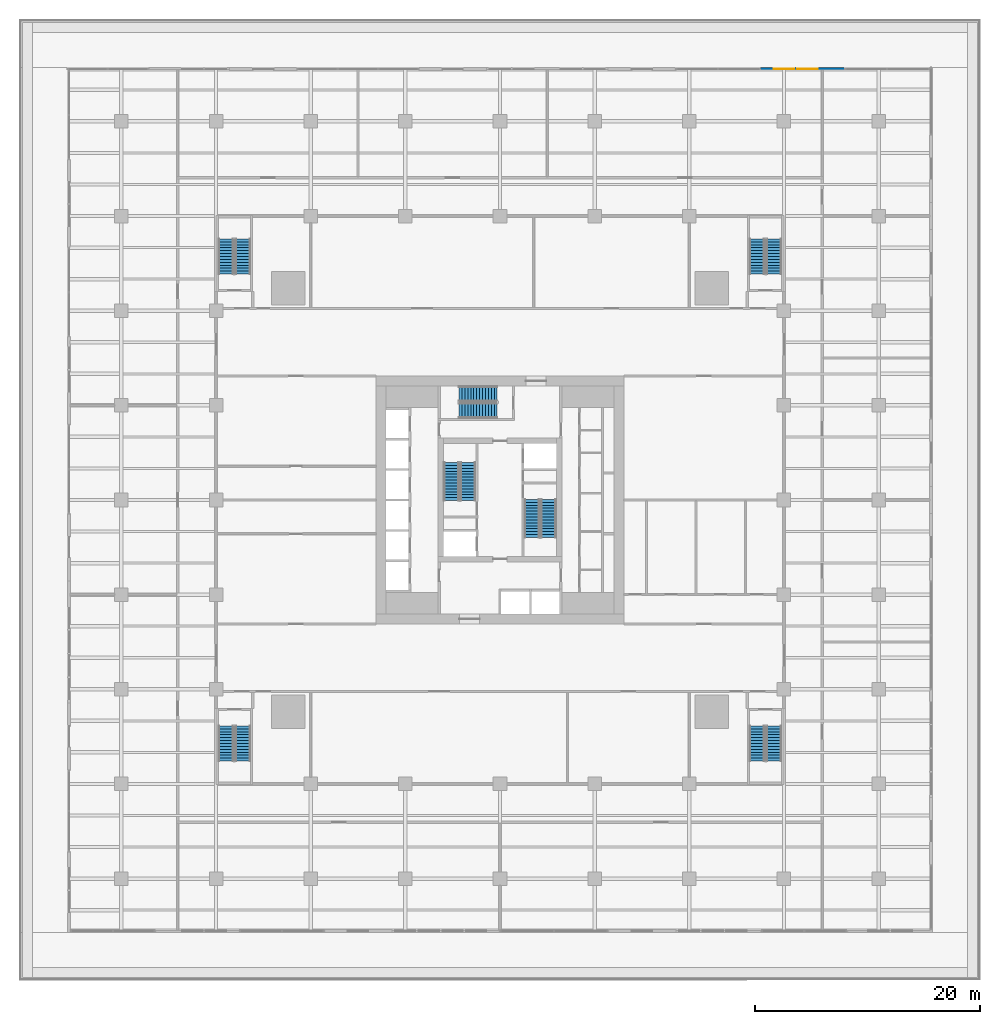
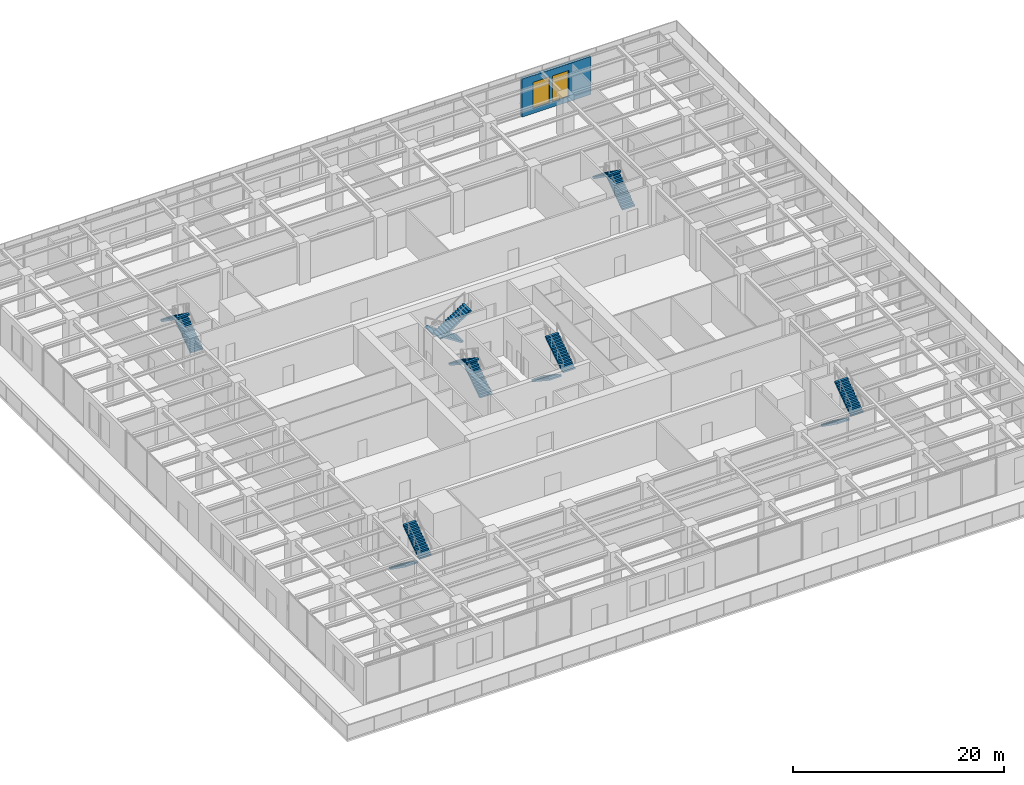
# One storey, part 23 of 32: 14 stair flights, 2 windows, 1 wall, 2 openings, 7 elements without a shape of their own.
"""IFC4 building model written with IfcOpenShell, lengths in metres."""

from ifc_helpers import new_model, si_unit, direction, frame, frame_2d, origin, place, context, subcontext, project, spatial, polyline, rectangle, outline, extrude, material, layer, layer_set, type_object, element, fill, aggregate, save


model = new_model("IFC4")

# Units and contexts
model_context = context("Model", 3, precision=1e-05, world=origin(), true_north=direction((0.0, 1.0)))
body_context = subcontext(model_context, "Body", "Model", "MODEL_VIEW")
ifc_project = project(units=[si_unit("LENGTHUNIT", "METRE"), si_unit("AREAUNIT", "SQUARE_METRE"), si_unit("VOLUMEUNIT", "CUBIC_METRE"), si_unit("PLANEANGLEUNIT", "RADIAN"), si_unit("MASSUNIT", "GRAM", prefix="KILO")], contexts=[model_context])

# Site, building, storey
site_placement = place(None, origin())
site = spatial("IfcSite", under=ifc_project, at=site_placement, CompositionType="ELEMENT")
building_placement = place(site_placement, origin())
building = spatial("IfcBuilding", under=site, at=building_placement, Name="Khepri Terraces", CompositionType="ELEMENT")
storey_placement = place(building_placement, frame((0.0, 0.0, 12.0)))
storey = spatial("IfcBuildingStorey", under=building, at=storey_placement, Name="L02", CompositionType="ELEMENT", Elevation=12.0)

# Wall, openings, windows
ifc_material_1 = material(Name="Precast concrete C50/60 warm stone", Category="masonry")
ifc_layer = layer(ifc_material_1, 0.300048828125, Name="Precast concrete C50/60 warm stone", Category="masonry")
ifc_layer_set = layer_set([ifc_layer], Name="Precast concrete C50/60 warm stone")
wall_type = type_object("IfcWallType", Name="WL-EXT-PRECAST-300", PredefinedType="STANDARD", material=ifc_layer_set)
wall_placement = place(storey_placement, frame((30.60009765625, 38.25, 0.0), z_axis=(0.0, 0.0, 1.0), x_axis=(-1.0, 0.0, 0.0)))
wall = element("IfcWall", 1, at=wall_placement, inside=storey, type_object=wall_type, Name="External wall L02 N", PredefinedType="STANDARD", context=body_context, shape_type="SweptSolid", body=[
    extrude(rectangle(XDim=7.5, YDim=0.300048828125, at=frame_2d((3.75, 0.0))), origin(), (0.0, 0.0, 1.0), 4.3798828125),
])
opening_1_placement = place(wall_placement, frame((2.39990234375, 0.0, 0.60009765625)))
opening_1 = element("IfcOpeningElement", 2, at=opening_1_placement, cuts=wall, Name="Opening WP1", PredefinedType="OPENING", context=body_context, shape_type="SweptSolid", body=[
    extrude(rectangle(XDim=1.800048828125, YDim=3.0, at=frame_2d((0.89990234375, 1.5))), frame((0.0, 0.16015625, 0.0), z_axis=(0.0, -1.0, 0.0), x_axis=(1.0, 0.0, 0.0)), (0.0, 0.0, 1.0), 0.320068359375),
])
opening_2_placement = place(wall_placement, frame((4.5, 0.0, 0.60009765625)))
opening_2 = element("IfcOpeningElement", 3, at=opening_2_placement, cuts=wall, Name="Opening WP1", PredefinedType="OPENING", context=body_context, shape_type="SweptSolid", body=[
    extrude(rectangle(XDim=1.800048828125, YDim=3.0, at=frame_2d((0.89990234375, 1.5))), frame((0.0, 0.16015625, 0.0), z_axis=(0.0, -1.0, 0.0), x_axis=(1.0, 0.0, 0.0)), (0.0, 0.0, 1.0), 0.320068359375),
])
ifc_material_2 = material(Name="Clear glass", Category="glass")
window_type = type_object("IfcWindowType", Name="WIN-POD-1800x3000", PartitioningType="SINGLE_PANEL", PredefinedType="WINDOW", material=ifc_material_2)
window_1_placement = place(opening_1_placement, origin())
window_1 = element("IfcWindow", 4, at=window_1_placement, inside=storey, type_object=window_type, Name="Window L02 N", OverallHeight=3.0, OverallWidth=1.800048828125, PartitioningType="SINGLE_PANEL", PredefinedType="WINDOW", context=body_context, shape_type="SweptSolid", body=[
    extrude(rectangle(XDim=1.800048828125, YDim=3.0, at=frame_2d((0.89990234375, 1.5))), frame((0.0, 0.030029296875, 0.0), z_axis=(0.0, -1.0, 0.0), x_axis=(1.0, 0.0, 0.0)), (0.0, 0.0, 1.0), 0.06005859375),
])
fill(opening_1, window_1)
window_2_placement = place(opening_2_placement, origin())
window_2 = element("IfcWindow", 5, at=window_2_placement, inside=storey, type_object=window_type, Name="Window L02 N", OverallHeight=3.0, OverallWidth=1.800048828125, PartitioningType="SINGLE_PANEL", PredefinedType="WINDOW", context=body_context, shape_type="SweptSolid", body=[
    extrude(rectangle(XDim=1.800048828125, YDim=3.0, at=frame_2d((0.89990234375, 1.5))), frame((0.0, 0.030029296875, 0.0), z_axis=(0.0, -1.0, 0.0), x_axis=(1.0, 0.0, 0.0)), (0.0, 0.0, 1.0), 0.06005859375),
])
fill(opening_2, window_2)

# Stair, stair flights
ifc_material_3 = material(Name="Concrete C40/50", Category="concrete")
stair_type_1 = type_object("IfcStairType", Name="ST-POD", PredefinedType="HALF_TURN_STAIR", material=ifc_material_3)
stair_1_placement = place(storey_placement, origin())
stair_1 = element("IfcStair", 6, at=stair_1_placement, inside=storey, type_object=stair_type_1, Name="L02 Exit Stair PS-1", PredefinedType="HALF_TURN_STAIR")
stair_flight_type_1 = type_object("IfcStairFlightType", Name="SFL-POD", PredefinedType="STRAIGHT", material=ifc_material_3)
stair_flight_1_placement = place(storey_placement, frame((24.324951171875, 20.050048828125, 0.0), z_axis=(0.0, 0.0, 1.0), x_axis=(0.0, 1.0, 0.0)))
stair_flight_1 = element("IfcStairFlight", 7, at=stair_flight_1_placement, type_object=stair_flight_type_1, Name="PS-1 flight 1", NumberOfRisers=13, NumberOfTreads=12, PredefinedType="STRAIGHT", RiserHeight=0.184615385, TreadLength=0.26, context=body_context, shape_type="SweptSolid", body=[
    extrude(outline(polyline([(0.0, 0.0), (0.0, 0.1845703125), (0.260009765625, 0.1845703125), (0.260009765625, 0.369140625), (0.52001953125, 0.369140625), (0.52001953125, 0.553955078125), (0.780029296875, 0.553955078125), (0.780029296875, 0.738525390625), (1.0400390625, 0.738525390625), (1.0400390625, 0.923095703125), (1.300048828125, 0.923095703125), (1.300048828125, 1.107666015625), (1.56005859375, 1.107666015625), (1.56005859375, 1.292236328125), (1.820068359375, 1.292236328125), (1.820068359375, 1.476806640625), (2.080078125, 1.476806640625), (2.080078125, 1.66162109375), (2.340087890625, 1.66162109375), (2.340087890625, 1.84619140625), (2.60009765625, 1.84619140625), (2.60009765625, 2.03076171875), (2.860107421875, 2.03076171875), (2.860107421875, 2.21533203125), (3.1201171875, 2.21533203125), (3.1201171875, 2.39990234375), (3.1201171875, 2.031494140625), (0.259033203125, 0.0), (0.0, 0.0)])), frame((0.0, 0.675048828125, 0.0), z_axis=(0.0, -1.0, 0.0), x_axis=(1.0, 0.0, 0.0)), (0.0, 0.0, 1.0), 1.35009765625),
])
stair_flight_2_placement = place(storey_placement, frame((22.824951171875, 23.169921875, 2.39990234375), z_axis=(0.0, 0.0, 1.0), x_axis=(0.0, -1.0, 0.0)))
stair_flight_2 = element("IfcStairFlight", 8, at=stair_flight_2_placement, type_object=stair_flight_type_1, Name="PS-1 flight 2", NumberOfRisers=13, NumberOfTreads=12, PredefinedType="STRAIGHT", RiserHeight=0.184615385, TreadLength=0.26, context=body_context, shape_type="SweptSolid", body=[
    extrude(outline(polyline([(0.0, 0.0), (0.0, 0.1845703125), (0.260009765625, 0.1845703125), (0.260009765625, 0.369140625), (0.52001953125, 0.369140625), (0.52001953125, 0.553955078125), (0.780029296875, 0.553955078125), (0.780029296875, 0.738525390625), (1.0400390625, 0.738525390625), (1.0400390625, 0.923095703125), (1.300048828125, 0.923095703125), (1.300048828125, 1.107666015625), (1.56005859375, 1.107666015625), (1.56005859375, 1.292236328125), (1.820068359375, 1.292236328125), (1.820068359375, 1.476806640625), (2.080078125, 1.476806640625), (2.080078125, 1.66162109375), (2.340087890625, 1.66162109375), (2.340087890625, 1.84619140625), (2.60009765625, 1.84619140625), (2.60009765625, 2.03076171875), (2.860107421875, 2.03076171875), (2.860107421875, 2.21533203125), (3.1201171875, 2.21533203125), (3.1201171875, 2.39990234375), (3.1201171875, 2.031494140625), (0.259033203125, 0.0), (0.0, 0.0)])), frame((0.0, 0.675048828125, 0.0), z_axis=(0.0, -1.0, 0.0), x_axis=(1.0, 0.0, 0.0)), (0.0, 0.0, 1.0), 1.35009765625),
])
aggregate(stair_1, [stair_flight_1, stair_flight_2])

stair_2_placement = place(storey_placement, origin())
stair_2 = element("IfcStair", 9, at=stair_2_placement, inside=storey, type_object=stair_type_1, Name="L02 Exit Stair PS-2", PredefinedType="HALF_TURN_STAIR")
stair_flight_3_placement = place(storey_placement, frame((-22.824951171875, 20.050048828125, 0.0), z_axis=(0.0, 0.0, 1.0), x_axis=(0.0, 1.0, 0.0)))
stair_flight_3 = element("IfcStairFlight", 10, at=stair_flight_3_placement, type_object=stair_flight_type_1, Name="PS-2 flight 1", NumberOfRisers=13, NumberOfTreads=12, PredefinedType="STRAIGHT", RiserHeight=0.184615385, TreadLength=0.26, context=body_context, shape_type="SweptSolid", body=[
    extrude(outline(polyline([(0.0, 0.0), (0.0, 0.1845703125), (0.260009765625, 0.1845703125), (0.260009765625, 0.369140625), (0.52001953125, 0.369140625), (0.52001953125, 0.553955078125), (0.780029296875, 0.553955078125), (0.780029296875, 0.738525390625), (1.0400390625, 0.738525390625), (1.0400390625, 0.923095703125), (1.300048828125, 0.923095703125), (1.300048828125, 1.107666015625), (1.56005859375, 1.107666015625), (1.56005859375, 1.292236328125), (1.820068359375, 1.292236328125), (1.820068359375, 1.476806640625), (2.080078125, 1.476806640625), (2.080078125, 1.66162109375), (2.340087890625, 1.66162109375), (2.340087890625, 1.84619140625), (2.60009765625, 1.84619140625), (2.60009765625, 2.03076171875), (2.860107421875, 2.03076171875), (2.860107421875, 2.21533203125), (3.1201171875, 2.21533203125), (3.1201171875, 2.39990234375), (3.1201171875, 2.031494140625), (0.259033203125, 0.0), (0.0, 0.0)])), frame((0.0, 0.675048828125, 0.0), z_axis=(0.0, -1.0, 0.0), x_axis=(1.0, 0.0, 0.0)), (0.0, 0.0, 1.0), 1.35009765625),
])
stair_flight_4_placement = place(storey_placement, frame((-24.324951171875, 23.169921875, 2.39990234375), z_axis=(0.0, 0.0, 1.0), x_axis=(0.0, -1.0, 0.0)))
stair_flight_4 = element("IfcStairFlight", 11, at=stair_flight_4_placement, type_object=stair_flight_type_1, Name="PS-2 flight 2", NumberOfRisers=13, NumberOfTreads=12, PredefinedType="STRAIGHT", RiserHeight=0.184615385, TreadLength=0.26, context=body_context, shape_type="SweptSolid", body=[
    extrude(outline(polyline([(0.0, 0.0), (0.0, 0.1845703125), (0.260009765625, 0.1845703125), (0.260009765625, 0.369140625), (0.52001953125, 0.369140625), (0.52001953125, 0.553955078125), (0.780029296875, 0.553955078125), (0.780029296875, 0.738525390625), (1.0400390625, 0.738525390625), (1.0400390625, 0.923095703125), (1.300048828125, 0.923095703125), (1.300048828125, 1.107666015625), (1.56005859375, 1.107666015625), (1.56005859375, 1.292236328125), (1.820068359375, 1.292236328125), (1.820068359375, 1.476806640625), (2.080078125, 1.476806640625), (2.080078125, 1.66162109375), (2.340087890625, 1.66162109375), (2.340087890625, 1.84619140625), (2.60009765625, 1.84619140625), (2.60009765625, 2.03076171875), (2.860107421875, 2.03076171875), (2.860107421875, 2.21533203125), (3.1201171875, 2.21533203125), (3.1201171875, 2.39990234375), (3.1201171875, 2.031494140625), (0.259033203125, 0.0), (0.0, 0.0)])), frame((0.0, 0.675048828125, 0.0), z_axis=(0.0, -1.0, 0.0), x_axis=(1.0, 0.0, 0.0)), (0.0, 0.0, 1.0), 1.35009765625),
])
aggregate(stair_2, [stair_flight_3, stair_flight_4])

stair_3_placement = place(storey_placement, origin())
stair_3 = element("IfcStair", 12, at=stair_3_placement, inside=storey, type_object=stair_type_1, Name="L02 Exit Stair PS-3", PredefinedType="HALF_TURN_STAIR")
stair_flight_5_placement = place(storey_placement, frame((22.824951171875, -20.050048828125, 0.0), z_axis=(0.0, 0.0, 1.0), x_axis=(0.0, -1.0, 0.0)))
stair_flight_5 = element("IfcStairFlight", 13, at=stair_flight_5_placement, type_object=stair_flight_type_1, Name="PS-3 flight 1", NumberOfRisers=13, NumberOfTreads=12, PredefinedType="STRAIGHT", RiserHeight=0.184615385, TreadLength=0.26, context=body_context, shape_type="SweptSolid", body=[
    extrude(outline(polyline([(0.0, 0.0), (0.0, 0.1845703125), (0.260009765625, 0.1845703125), (0.260009765625, 0.369140625), (0.52001953125, 0.369140625), (0.52001953125, 0.553955078125), (0.780029296875, 0.553955078125), (0.780029296875, 0.738525390625), (1.0400390625, 0.738525390625), (1.0400390625, 0.923095703125), (1.300048828125, 0.923095703125), (1.300048828125, 1.107666015625), (1.56005859375, 1.107666015625), (1.56005859375, 1.292236328125), (1.820068359375, 1.292236328125), (1.820068359375, 1.476806640625), (2.080078125, 1.476806640625), (2.080078125, 1.66162109375), (2.340087890625, 1.66162109375), (2.340087890625, 1.84619140625), (2.60009765625, 1.84619140625), (2.60009765625, 2.03076171875), (2.860107421875, 2.03076171875), (2.860107421875, 2.21533203125), (3.1201171875, 2.21533203125), (3.1201171875, 2.39990234375), (3.1201171875, 2.031494140625), (0.259033203125, 0.0), (0.0, 0.0)])), frame((0.0, 0.675048828125, 0.0), z_axis=(0.0, -1.0, 0.0), x_axis=(1.0, 0.0, 0.0)), (0.0, 0.0, 1.0), 1.35009765625),
])
stair_flight_6_placement = place(storey_placement, frame((24.324951171875, -23.169921875, 2.39990234375), z_axis=(0.0, 0.0, 1.0), x_axis=(0.0, 1.0, 0.0)))
stair_flight_6 = element("IfcStairFlight", 14, at=stair_flight_6_placement, type_object=stair_flight_type_1, Name="PS-3 flight 2", NumberOfRisers=13, NumberOfTreads=12, PredefinedType="STRAIGHT", RiserHeight=0.184615385, TreadLength=0.26, context=body_context, shape_type="SweptSolid", body=[
    extrude(outline(polyline([(0.0, 0.0), (0.0, 0.1845703125), (0.260009765625, 0.1845703125), (0.260009765625, 0.369140625), (0.52001953125, 0.369140625), (0.52001953125, 0.553955078125), (0.780029296875, 0.553955078125), (0.780029296875, 0.738525390625), (1.0400390625, 0.738525390625), (1.0400390625, 0.923095703125), (1.300048828125, 0.923095703125), (1.300048828125, 1.107666015625), (1.56005859375, 1.107666015625), (1.56005859375, 1.292236328125), (1.820068359375, 1.292236328125), (1.820068359375, 1.476806640625), (2.080078125, 1.476806640625), (2.080078125, 1.66162109375), (2.340087890625, 1.66162109375), (2.340087890625, 1.84619140625), (2.60009765625, 1.84619140625), (2.60009765625, 2.03076171875), (2.860107421875, 2.03076171875), (2.860107421875, 2.21533203125), (3.1201171875, 2.21533203125), (3.1201171875, 2.39990234375), (3.1201171875, 2.031494140625), (0.259033203125, 0.0), (0.0, 0.0)])), frame((0.0, 0.675048828125, 0.0), z_axis=(0.0, -1.0, 0.0), x_axis=(1.0, 0.0, 0.0)), (0.0, 0.0, 1.0), 1.35009765625),
])
aggregate(stair_3, [stair_flight_5, stair_flight_6])

stair_4_placement = place(storey_placement, origin())
stair_4 = element("IfcStair", 15, at=stair_4_placement, inside=storey, type_object=stair_type_1, Name="L02 Exit Stair PS-4", PredefinedType="HALF_TURN_STAIR")
stair_flight_7_placement = place(storey_placement, frame((-24.324951171875, -20.050048828125, 0.0), z_axis=(0.0, 0.0, 1.0), x_axis=(0.0, -1.0, 0.0)))
stair_flight_7 = element("IfcStairFlight", 16, at=stair_flight_7_placement, type_object=stair_flight_type_1, Name="PS-4 flight 1", NumberOfRisers=13, NumberOfTreads=12, PredefinedType="STRAIGHT", RiserHeight=0.184615385, TreadLength=0.26, context=body_context, shape_type="SweptSolid", body=[
    extrude(outline(polyline([(0.0, 0.0), (0.0, 0.1845703125), (0.260009765625, 0.1845703125), (0.260009765625, 0.369140625), (0.52001953125, 0.369140625), (0.52001953125, 0.553955078125), (0.780029296875, 0.553955078125), (0.780029296875, 0.738525390625), (1.0400390625, 0.738525390625), (1.0400390625, 0.923095703125), (1.300048828125, 0.923095703125), (1.300048828125, 1.107666015625), (1.56005859375, 1.107666015625), (1.56005859375, 1.292236328125), (1.820068359375, 1.292236328125), (1.820068359375, 1.476806640625), (2.080078125, 1.476806640625), (2.080078125, 1.66162109375), (2.340087890625, 1.66162109375), (2.340087890625, 1.84619140625), (2.60009765625, 1.84619140625), (2.60009765625, 2.03076171875), (2.860107421875, 2.03076171875), (2.860107421875, 2.21533203125), (3.1201171875, 2.21533203125), (3.1201171875, 2.39990234375), (3.1201171875, 2.031494140625), (0.259033203125, 0.0), (0.0, 0.0)])), frame((0.0, 0.675048828125, 0.0), z_axis=(0.0, -1.0, 0.0), x_axis=(1.0, 0.0, 0.0)), (0.0, 0.0, 1.0), 1.35009765625),
])
stair_flight_8_placement = place(storey_placement, frame((-22.824951171875, -23.169921875, 2.39990234375), z_axis=(0.0, 0.0, 1.0), x_axis=(0.0, 1.0, 0.0)))
stair_flight_8 = element("IfcStairFlight", 17, at=stair_flight_8_placement, type_object=stair_flight_type_1, Name="PS-4 flight 2", NumberOfRisers=13, NumberOfTreads=12, PredefinedType="STRAIGHT", RiserHeight=0.184615385, TreadLength=0.26, context=body_context, shape_type="SweptSolid", body=[
    extrude(outline(polyline([(0.0, 0.0), (0.0, 0.1845703125), (0.260009765625, 0.1845703125), (0.260009765625, 0.369140625), (0.52001953125, 0.369140625), (0.52001953125, 0.553955078125), (0.780029296875, 0.553955078125), (0.780029296875, 0.738525390625), (1.0400390625, 0.738525390625), (1.0400390625, 0.923095703125), (1.300048828125, 0.923095703125), (1.300048828125, 1.107666015625), (1.56005859375, 1.107666015625), (1.56005859375, 1.292236328125), (1.820068359375, 1.292236328125), (1.820068359375, 1.476806640625), (2.080078125, 1.476806640625), (2.080078125, 1.66162109375), (2.340087890625, 1.66162109375), (2.340087890625, 1.84619140625), (2.60009765625, 1.84619140625), (2.60009765625, 2.03076171875), (2.860107421875, 2.03076171875), (2.860107421875, 2.21533203125), (3.1201171875, 2.21533203125), (3.1201171875, 2.39990234375), (3.1201171875, 2.031494140625), (0.259033203125, 0.0), (0.0, 0.0)])), frame((0.0, 0.675048828125, 0.0), z_axis=(0.0, -1.0, 0.0), x_axis=(1.0, 0.0, 0.0)), (0.0, 0.0, 1.0), 1.35009765625),
])
aggregate(stair_4, [stair_flight_7, stair_flight_8])

stair_type_2 = type_object("IfcStairType", Name="STAIR-RC-28R", PredefinedType="HALF_TURN_STAIR", material=ifc_material_3)
stair_5_placement = place(storey_placement, origin())
stair_5 = element("IfcStair", 18, at=stair_5_placement, inside=storey, type_object=stair_type_2, Name="L02 Exit Stair ST-1", PredefinedType="HALF_TURN_STAIR")
stair_flight_type_2 = type_object("IfcStairFlightType", Name="SFL-RC-171.4", PredefinedType="STRAIGHT", material=ifc_material_3)
stair_flight_9_placement = place(storey_placement, frame((-2.824951171875, -0.050048828125, 0.0), z_axis=(0.0, 0.0, 1.0), x_axis=(0.0, 1.0, 0.0)))
stair_flight_9 = element("IfcStairFlight", 19, at=stair_flight_9_placement, type_object=stair_flight_type_2, Name="ST-1 flight 1", NumberOfRisers=14, NumberOfTreads=13, PredefinedType="STRAIGHT", RiserHeight=0.171428571, TreadLength=0.26, context=body_context, shape_type="SweptSolid", body=[
    extrude(outline(polyline([(0.0, 0.0), (0.0, 0.17138671875), (0.260009765625, 0.17138671875), (0.260009765625, 0.3427734375), (0.52001953125, 0.3427734375), (0.52001953125, 0.514404296875), (0.780029296875, 0.514404296875), (0.780029296875, 0.685791015625), (1.0400390625, 0.685791015625), (1.0400390625, 0.857177734375), (1.300048828125, 0.857177734375), (1.300048828125, 1.028564453125), (1.56005859375, 1.028564453125), (1.56005859375, 1.199951171875), (1.820068359375, 1.199951171875), (1.820068359375, 1.371337890625), (2.080078125, 1.371337890625), (2.080078125, 1.54296875), (2.340087890625, 1.54296875), (2.340087890625, 1.71435546875), (2.60009765625, 1.71435546875), (2.60009765625, 1.8857421875), (2.860107421875, 1.8857421875), (2.860107421875, 2.05712890625), (3.1201171875, 2.05712890625), (3.1201171875, 2.228515625), (3.3798828125, 2.228515625), (3.3798828125, 2.39990234375), (3.3798828125, 2.049072265625), (0.272216796875, 0.0), (0.0, 0.0)])), frame((0.0, 0.675048828125, 0.0), z_axis=(0.0, -1.0, 0.0), x_axis=(1.0, 0.0, 0.0)), (0.0, 0.0, 1.0), 1.35009765625),
])
stair_flight_10_placement = place(storey_placement, frame((-4.324951171875, 3.330078125, 2.39990234375), z_axis=(0.0, 0.0, 1.0), x_axis=(0.0, -1.0, 0.0)))
stair_flight_10 = element("IfcStairFlight", 20, at=stair_flight_10_placement, type_object=stair_flight_type_2, Name="ST-1 flight 2", NumberOfRisers=14, NumberOfTreads=13, PredefinedType="STRAIGHT", RiserHeight=0.171428571, TreadLength=0.26, context=body_context, shape_type="SweptSolid", body=[
    extrude(outline(polyline([(0.0, 0.0), (0.0, 0.17138671875), (0.260009765625, 0.17138671875), (0.260009765625, 0.3427734375), (0.52001953125, 0.3427734375), (0.52001953125, 0.514404296875), (0.780029296875, 0.514404296875), (0.780029296875, 0.685791015625), (1.0400390625, 0.685791015625), (1.0400390625, 0.857177734375), (1.300048828125, 0.857177734375), (1.300048828125, 1.028564453125), (1.56005859375, 1.028564453125), (1.56005859375, 1.199951171875), (1.820068359375, 1.199951171875), (1.820068359375, 1.371337890625), (2.080078125, 1.371337890625), (2.080078125, 1.54296875), (2.340087890625, 1.54296875), (2.340087890625, 1.71435546875), (2.60009765625, 1.71435546875), (2.60009765625, 1.8857421875), (2.860107421875, 1.8857421875), (2.860107421875, 2.05712890625), (3.1201171875, 2.05712890625), (3.1201171875, 2.228515625), (3.3798828125, 2.228515625), (3.3798828125, 2.39990234375), (3.3798828125, 2.049072265625), (0.272216796875, 0.0), (0.0, 0.0)])), frame((0.0, 0.675048828125, 0.0), z_axis=(0.0, -1.0, 0.0), x_axis=(1.0, 0.0, 0.0)), (0.0, 0.0, 1.0), 1.35009765625),
])
aggregate(stair_5, [stair_flight_9, stair_flight_10])

stair_6_placement = place(storey_placement, origin())
stair_6 = element("IfcStair", 21, at=stair_6_placement, inside=storey, type_object=stair_type_2, Name="L02 Exit Stair ST-2", PredefinedType="HALF_TURN_STAIR")
stair_flight_11_placement = place(storey_placement, frame((2.824951171875, 0.050048828125, 0.0), z_axis=(0.0, 0.0, 1.0), x_axis=(0.0, -1.0, 0.0)))
stair_flight_11 = element("IfcStairFlight", 22, at=stair_flight_11_placement, type_object=stair_flight_type_2, Name="ST-2 flight 1", NumberOfRisers=14, NumberOfTreads=13, PredefinedType="STRAIGHT", RiserHeight=0.171428571, TreadLength=0.26, context=body_context, shape_type="SweptSolid", body=[
    extrude(outline(polyline([(0.0, 0.0), (0.0, 0.17138671875), (0.260009765625, 0.17138671875), (0.260009765625, 0.3427734375), (0.52001953125, 0.3427734375), (0.52001953125, 0.514404296875), (0.780029296875, 0.514404296875), (0.780029296875, 0.685791015625), (1.0400390625, 0.685791015625), (1.0400390625, 0.857177734375), (1.300048828125, 0.857177734375), (1.300048828125, 1.028564453125), (1.56005859375, 1.028564453125), (1.56005859375, 1.199951171875), (1.820068359375, 1.199951171875), (1.820068359375, 1.371337890625), (2.080078125, 1.371337890625), (2.080078125, 1.54296875), (2.340087890625, 1.54296875), (2.340087890625, 1.71435546875), (2.60009765625, 1.71435546875), (2.60009765625, 1.8857421875), (2.860107421875, 1.8857421875), (2.860107421875, 2.05712890625), (3.1201171875, 2.05712890625), (3.1201171875, 2.228515625), (3.3798828125, 2.228515625), (3.3798828125, 2.39990234375), (3.3798828125, 2.049072265625), (0.272216796875, 0.0), (0.0, 0.0)])), frame((0.0, 0.675048828125, 0.0), z_axis=(0.0, -1.0, 0.0), x_axis=(1.0, 0.0, 0.0)), (0.0, 0.0, 1.0), 1.35009765625),
])
stair_flight_12_placement = place(storey_placement, frame((4.324951171875, -3.330078125, 2.39990234375), z_axis=(0.0, 0.0, 1.0), x_axis=(0.0, 1.0, 0.0)))
stair_flight_12 = element("IfcStairFlight", 23, at=stair_flight_12_placement, type_object=stair_flight_type_2, Name="ST-2 flight 2", NumberOfRisers=14, NumberOfTreads=13, PredefinedType="STRAIGHT", RiserHeight=0.171428571, TreadLength=0.26, context=body_context, shape_type="SweptSolid", body=[
    extrude(outline(polyline([(0.0, 0.0), (0.0, 0.17138671875), (0.260009765625, 0.17138671875), (0.260009765625, 0.3427734375), (0.52001953125, 0.3427734375), (0.52001953125, 0.514404296875), (0.780029296875, 0.514404296875), (0.780029296875, 0.685791015625), (1.0400390625, 0.685791015625), (1.0400390625, 0.857177734375), (1.300048828125, 0.857177734375), (1.300048828125, 1.028564453125), (1.56005859375, 1.028564453125), (1.56005859375, 1.199951171875), (1.820068359375, 1.199951171875), (1.820068359375, 1.371337890625), (2.080078125, 1.371337890625), (2.080078125, 1.54296875), (2.340087890625, 1.54296875), (2.340087890625, 1.71435546875), (2.60009765625, 1.71435546875), (2.60009765625, 1.8857421875), (2.860107421875, 1.8857421875), (2.860107421875, 2.05712890625), (3.1201171875, 2.05712890625), (3.1201171875, 2.228515625), (3.3798828125, 2.228515625), (3.3798828125, 2.39990234375), (3.3798828125, 2.049072265625), (0.272216796875, 0.0), (0.0, 0.0)])), frame((0.0, 0.675048828125, 0.0), z_axis=(0.0, -1.0, 0.0), x_axis=(1.0, 0.0, 0.0)), (0.0, 0.0, 1.0), 1.35009765625),
])
aggregate(stair_6, [stair_flight_11, stair_flight_12])

stair_7_placement = place(storey_placement, origin())
stair_7 = element("IfcStair", 24, at=stair_7_placement, inside=storey, type_object=stair_type_2, Name="L02 Exit Stair ST-3", PredefinedType="HALF_TURN_STAIR")
stair_flight_13_placement = place(storey_placement, frame((-0.25, 9.425048828125, 0.0), z_axis=(0.0, 0.0, 1.0), x_axis=(-1.0, 0.0, 0.0)))
stair_flight_13 = element("IfcStairFlight", 25, at=stair_flight_13_placement, type_object=stair_flight_type_2, Name="ST-3 flight 1", NumberOfRisers=14, NumberOfTreads=13, PredefinedType="STRAIGHT", RiserHeight=0.171428571, TreadLength=0.26, context=body_context, shape_type="SweptSolid", body=[
    extrude(outline(polyline([(0.0, 0.0), (0.0, 0.17138671875), (0.260009765625, 0.17138671875), (0.260009765625, 0.3427734375), (0.52001953125, 0.3427734375), (0.52001953125, 0.514404296875), (0.780029296875, 0.514404296875), (0.780029296875, 0.685791015625), (1.0400390625, 0.685791015625), (1.0400390625, 0.857177734375), (1.300048828125, 0.857177734375), (1.300048828125, 1.028564453125), (1.56005859375, 1.028564453125), (1.56005859375, 1.199951171875), (1.820068359375, 1.199951171875), (1.820068359375, 1.371337890625), (2.080078125, 1.371337890625), (2.080078125, 1.54296875), (2.340087890625, 1.54296875), (2.340087890625, 1.71435546875), (2.60009765625, 1.71435546875), (2.60009765625, 1.8857421875), (2.860107421875, 1.8857421875), (2.860107421875, 2.05712890625), (3.1201171875, 2.05712890625), (3.1201171875, 2.228515625), (3.3798828125, 2.228515625), (3.3798828125, 2.39990234375), (3.3798828125, 2.049072265625), (0.272216796875, 0.0), (0.0, 0.0)])), frame((0.0, 0.675048828125, 0.0), z_axis=(0.0, -1.0, 0.0), x_axis=(1.0, 0.0, 0.0)), (0.0, 0.0, 1.0), 1.35009765625),
])
stair_flight_14_placement = place(storey_placement, frame((-3.6298828125, 7.925048828125, 2.39990234375), z_axis=(0.0, 0.0, 1.0), x_axis=(1.0, 0.0, 0.0)))
stair_flight_14 = element("IfcStairFlight", 26, at=stair_flight_14_placement, type_object=stair_flight_type_2, Name="ST-3 flight 2", NumberOfRisers=14, NumberOfTreads=13, PredefinedType="STRAIGHT", RiserHeight=0.171428571, TreadLength=0.26, context=body_context, shape_type="SweptSolid", body=[
    extrude(outline(polyline([(0.0, 0.0), (0.0, 0.17138671875), (0.260009765625, 0.17138671875), (0.260009765625, 0.3427734375), (0.52001953125, 0.3427734375), (0.52001953125, 0.514404296875), (0.780029296875, 0.514404296875), (0.780029296875, 0.685791015625), (1.0400390625, 0.685791015625), (1.0400390625, 0.857177734375), (1.300048828125, 0.857177734375), (1.300048828125, 1.028564453125), (1.56005859375, 1.028564453125), (1.56005859375, 1.199951171875), (1.820068359375, 1.199951171875), (1.820068359375, 1.371337890625), (2.080078125, 1.371337890625), (2.080078125, 1.54296875), (2.340087890625, 1.54296875), (2.340087890625, 1.71435546875), (2.60009765625, 1.71435546875), (2.60009765625, 1.8857421875), (2.860107421875, 1.8857421875), (2.860107421875, 2.05712890625), (3.1201171875, 2.05712890625), (3.1201171875, 2.228515625), (3.3798828125, 2.228515625), (3.3798828125, 2.39990234375), (3.3798828125, 2.049072265625), (0.272216796875, 0.0), (0.0, 0.0)])), frame((0.0, 0.675048828125, 0.0), z_axis=(0.0, -1.0, 0.0), x_axis=(1.0, 0.0, 0.0)), (0.0, 0.0, 1.0), 1.35009765625),
])
aggregate(stair_7, [stair_flight_13, stair_flight_14])

save(model, "model.ifc")
